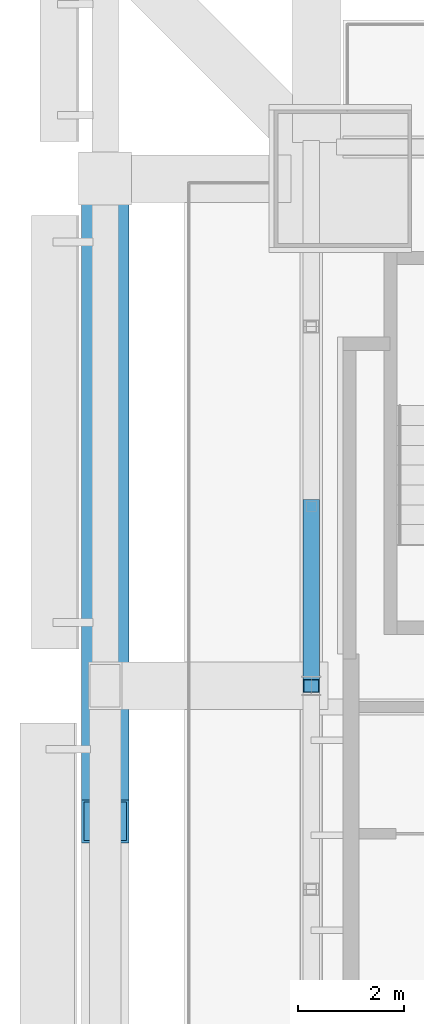
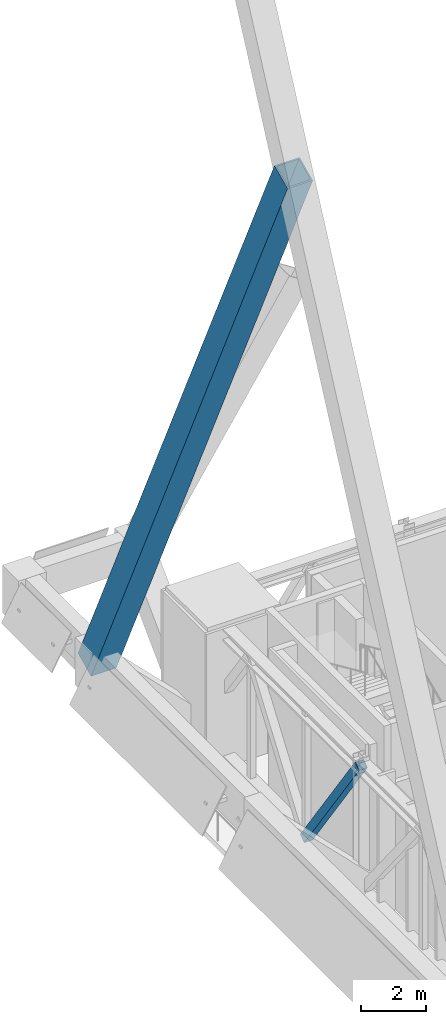
# One storey, part 9 of 31: 2 members.
"""IFC4 building model written with IfcOpenShell, lengths in metres."""

from ifc_helpers import new_model, si_unit, direction, frame, origin, origin_2d, place, context, subcontext, project, spatial, hollow_rectangle, extrude, material, material_profile, profile_set, type_object, element, save


model = new_model("IFC4")

# Units and contexts
model_context = context("Model", 3, precision=1e-05, world=origin(), true_north=direction((0.0, 1.0)))
body_context = subcontext(model_context, "Body", "Model", "MODEL_VIEW")
ifc_project = project(units=[si_unit("LENGTHUNIT", "METRE"), si_unit("AREAUNIT", "SQUARE_METRE"), si_unit("VOLUMEUNIT", "CUBIC_METRE"), si_unit("PLANEANGLEUNIT", "RADIAN"), si_unit("MASSUNIT", "GRAM", prefix="KILO")], contexts=[model_context])

# Site, building, storey
site_placement = place(None, origin())
site = spatial("IfcSite", under=ifc_project, at=site_placement, CompositionType="ELEMENT")
building_placement = place(site_placement, origin())
building = spatial("IfcBuilding", under=site, at=building_placement, Name="Bicima Exchange Tower", CompositionType="ELEMENT")
storey_placement = place(building_placement, frame((0.0, 0.0, 236.0)))
storey = spatial("IfcBuildingStorey", under=building, at=storey_placement, Name="L53", CompositionType="ELEMENT", Elevation=236.0)

# Members
ifc_material = material(Name="Steel ASTM A572 Gr 50", Category="steel")
ifc_material_profile_1 = material_profile(ifc_material, hollow_rectangle(XDim=0.3046875, YDim=0.3046875, WallThickness=0.01171875, at=origin_2d()))
ifc_profile_set_1 = profile_set([ifc_material_profile_1], Name="Steel ASTM A572 Gr 50")
member_type_1 = type_object("IfcMemberType", Name="Belt truss diagonal HSS12x12x1/2", PredefinedType="STRUT", material=ifc_profile_set_1)
member_1_placement = place(storey_placement, frame((-33.60009765625, -9.199951171875, 0.227294921875), z_axis=(0.0, -0.578402146369, 0.815751774179), x_axis=(1.0, 0.0, 0.0)))
element("IfcMember", 1, at=member_1_placement, inside=storey, type_object=member_type_1, Name="Truss diagonal", PredefinedType="STRUT", context=body_context, shape_type="SweptSolid", body=[
    extrude(hollow_rectangle(XDim=0.3046875, YDim=0.3046875, WallThickness=0.01171875, at=origin_2d()), origin(), (0.0, 0.0, 1.0), 5.87841796875),
])
ifc_material_profile_2 = material_profile(ifc_material, hollow_rectangle(XDim=0.89990234375, YDim=0.89990234375, WallThickness=0.050048828125, at=origin_2d()))
ifc_profile_set_2 = profile_set([ifc_material_profile_2], Name="Steel ASTM A572 Gr 50")
member_type_2 = type_object("IfcMemberType", Name="Exo mega brace BOX 900x900x50", PredefinedType="BRACE", material=ifc_profile_set_2)
member_2_placement = place(storey_placement, frame((-37.5, -3.0, 4.5), z_axis=(0.0, -0.426460147734, 0.904506352877), x_axis=(1.0, 0.0, 0.0)))
element("IfcMember", 2, at=member_2_placement, inside=storey, type_object=member_type_2, Name="Exo mega brace end", PredefinedType="BRACE", context=body_context, shape_type="SweptSolid", body=[
    extrude(hollow_rectangle(XDim=0.89990234375, YDim=0.89990234375, WallThickness=0.050048828125, at=origin_2d()), origin(), (0.0, 0.0, 1.0), 28.52392578125),
])

save(model, "model.ifc")
